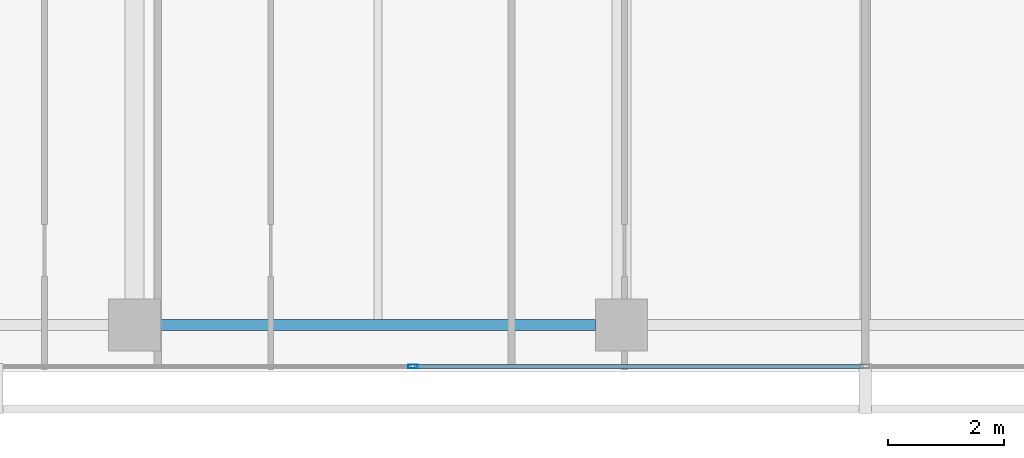
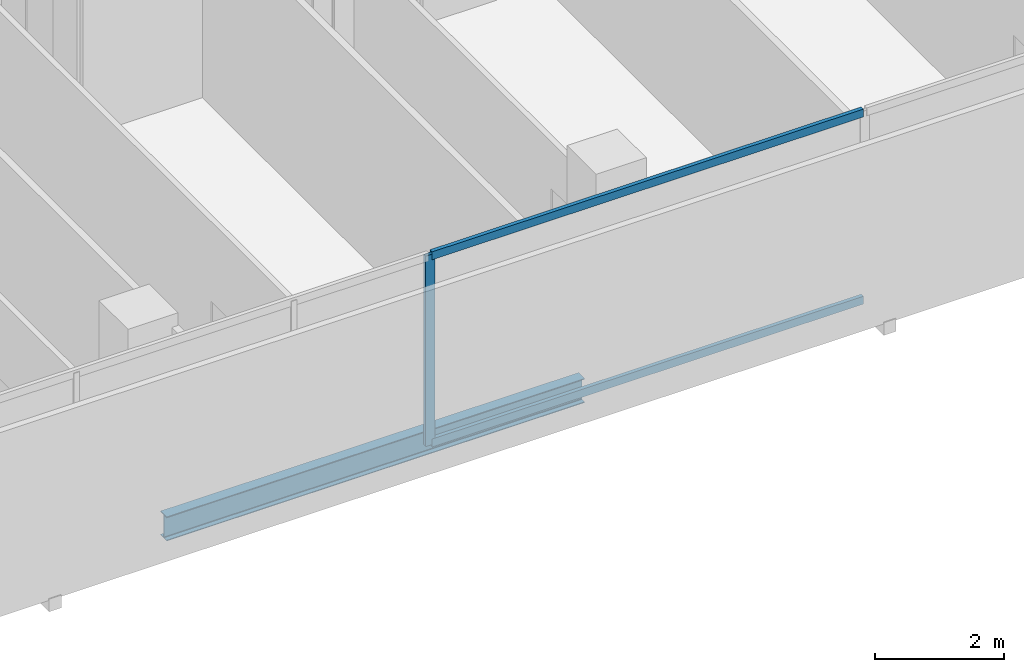
# One storey, part 7 of 40: 3 members, 1 beam, 1 element without a shape of its own.
"""IFC4 building model written with IfcOpenShell, lengths in metres."""

from ifc_helpers import new_model, si_unit, direction, frame, origin, origin_2d, place, context, subcontext, project, spatial, hollow_rectangle, i_section, extrude, material, layer, layer_set, material_profile, profile_set, type_object, element, aggregate, save


model = new_model("IFC4")

# Units and contexts
model_context = context("Model", 3, precision=1e-05, world=origin(), true_north=direction((0.0, 1.0)))
body_context = subcontext(model_context, "Body", "Model", "MODEL_VIEW")
ifc_project = project(units=[si_unit("LENGTHUNIT", "METRE"), si_unit("AREAUNIT", "SQUARE_METRE"), si_unit("VOLUMEUNIT", "CUBIC_METRE"), si_unit("PLANEANGLEUNIT", "RADIAN"), si_unit("MASSUNIT", "GRAM", prefix="KILO")], contexts=[model_context])

# Site, building, storey
site_placement = place(None, origin())
site = spatial("IfcSite", under=ifc_project, at=site_placement, CompositionType="ELEMENT")
building_placement = place(site_placement, origin())
building = spatial("IfcBuilding", under=site, at=building_placement, Name="Maruvema Waterfront Hotel and Observation Tower", CompositionType="ELEMENT")
storey_placement = place(building_placement, frame((0.0, 0.0, 38.5)))
storey = spatial("IfcBuildingStorey", under=building, at=storey_placement, Name="L08", CompositionType="ELEMENT", Elevation=38.5)

# Curtain wall, members
ifc_material_1 = material(Name="Anodised bronze aluminium and solar-control low-E IGU", Category="aluminium")
ifc_layer = layer(ifc_material_1, 0.159912109375, Name="Zone 1 Bronze Inner Thermal Curtain Wall System CW-02")
ifc_layer_set = layer_set([ifc_layer], Name="Anodised bronze aluminium and solar-control low-E IGU")
curtain_wall_type = type_object("IfcCurtainWallType", Name="Zone 1 Bronze Inner Thermal Curtain Wall System CW-02", PredefinedType="USERDEFINED", material=ifc_layer_set)
curtain_wall_placement = place(storey_placement, origin())
curtain_wall = element("IfcCurtainWall", 1, at=curtain_wall_placement, inside=storey, type_object=curtain_wall_type, Name="L08 Curtain Wall CW-L08-S", ObjectType="UNITISED CURTAIN WALL", PredefinedType="USERDEFINED")
ifc_material_2 = material(Name="Anodised architectural bronze aluminium", Category="aluminium")
ifc_material_profile_1 = material_profile(ifc_material_2, hollow_rectangle(XDim=0.070068359375, YDim=0.14990234375, WallThickness=0.00390625, at=origin_2d()), Name="ALU-T70x150")
ifc_profile_set_1 = profile_set([ifc_material_profile_1], Name="Anodised architectural bronze aluminium")
member_type_1 = type_object("IfcMemberType", Name="Curtain Wall Horizontal Transom ALU-T70x150", PredefinedType="USERDEFINED", material=ifc_profile_set_1)
member_1_placement = place(storey_placement, frame((30.030029296875, 0.080078125, 0.030029296875), z_axis=(1.0, 0.0, 0.0), x_axis=(0.0, 1.0, 0.0)))
member_1 = element("IfcMember", 2, at=member_1_placement, type_object=member_type_1, Name="CW-02 transom 3.1", ObjectType="TRANSOM", PredefinedType="USERDEFINED", context=body_context, shape_type="SweptSolid", body=[
    extrude(hollow_rectangle(XDim=0.070068359375, YDim=0.14990234375, WallThickness=0.00390625, at=origin_2d()), origin(), (0.0, 0.0, 1.0), 7.739990234375),
])
member_2_placement = place(storey_placement, frame((30.030029296875, 0.080078125, 3.580078125), z_axis=(1.0, 0.0, 0.0), x_axis=(0.0, 1.0, 0.0)))
member_2 = element("IfcMember", 3, at=member_2_placement, type_object=member_type_1, Name="CW-02 transom 3.2", ObjectType="TRANSOM", PredefinedType="USERDEFINED", context=body_context, shape_type="SweptSolid", body=[
    extrude(hollow_rectangle(XDim=0.070068359375, YDim=0.14990234375, WallThickness=0.00390625, at=origin_2d()), origin(), (0.0, 0.0, 1.0), 7.739990234375),
])
ifc_material_3 = material(Name="Anodised architectural bronze aluminium", Category="aluminium")
ifc_material_profile_2 = material_profile(ifc_material_3, hollow_rectangle(XDim=0.06494140625, YDim=0.1650390625, WallThickness=0.00390625, at=origin_2d()), Name="ALU-M65x165")
ifc_profile_set_2 = profile_set([ifc_material_profile_2], Name="Anodised architectural bronze aluminium")
member_type_2 = type_object("IfcMemberType", Name="Curtain Wall Primary Mullion ALU-M65x165", PredefinedType="MULLION", material=ifc_profile_set_2)
member_3_placement = place(storey_placement, frame((30.0, 0.080078125, 0.0), z_axis=(0.0, 0.0, 1.0), x_axis=(0.0, 1.0, 0.0)))
member_3 = element("IfcMember", 4, at=member_3_placement, type_object=member_type_2, Name="CW-02 mullion 3", PredefinedType="MULLION", context=body_context, shape_type="SweptSolid", body=[
    extrude(hollow_rectangle(XDim=0.06494140625, YDim=0.1650390625, WallThickness=0.00390625, at=origin_2d()), origin(), (0.0, 0.0, 1.0), 3.610107421875),
])
aggregate(curtain_wall, [member_3, member_1, member_2])

# Beam
ifc_material_4 = material(Name="Steel ASTM A572 Grade 50", Category="steel")
ifc_material_profile_3 = material_profile(ifc_material_4, i_section(OverallWidth=0.18994140625, OverallDepth=0.45703125, WebThickness=0.009033203125, FlangeThickness=0.014404296875, FilletRadius=0.014892578125, at=origin_2d()), Name="W460x74.0")
ifc_profile_set_3 = profile_set([ifc_material_profile_3], Name="Steel ASTM A572 Grade 50")
beam_type = type_object("IfcBeamType", Name="Perimeter Spandrel Beam W460x74.0", PredefinedType="SPANDREL", material=ifc_profile_set_3)
beam_placement = place(storey_placement, frame((25.64990234375, 0.800048828125, -0.468505859375), z_axis=(1.0, 0.0, 0.0), x_axis=(0.0, 1.0, 0.0)))
element("IfcBeam", 5, at=beam_placement, inside=storey, type_object=beam_type, Name="L08 Floor Girder EW-02", PredefinedType="SPANDREL", context=body_context, shape_type="SweptSolid", body=[
    extrude(i_section(OverallWidth=0.18994140625, OverallDepth=0.45703125, WebThickness=0.009033203125, FlangeThickness=0.014404296875, FilletRadius=0.014892578125, at=origin_2d()), origin(), (0.0, 0.0, 1.0), 7.5),
])

save(model, "model.ifc")
